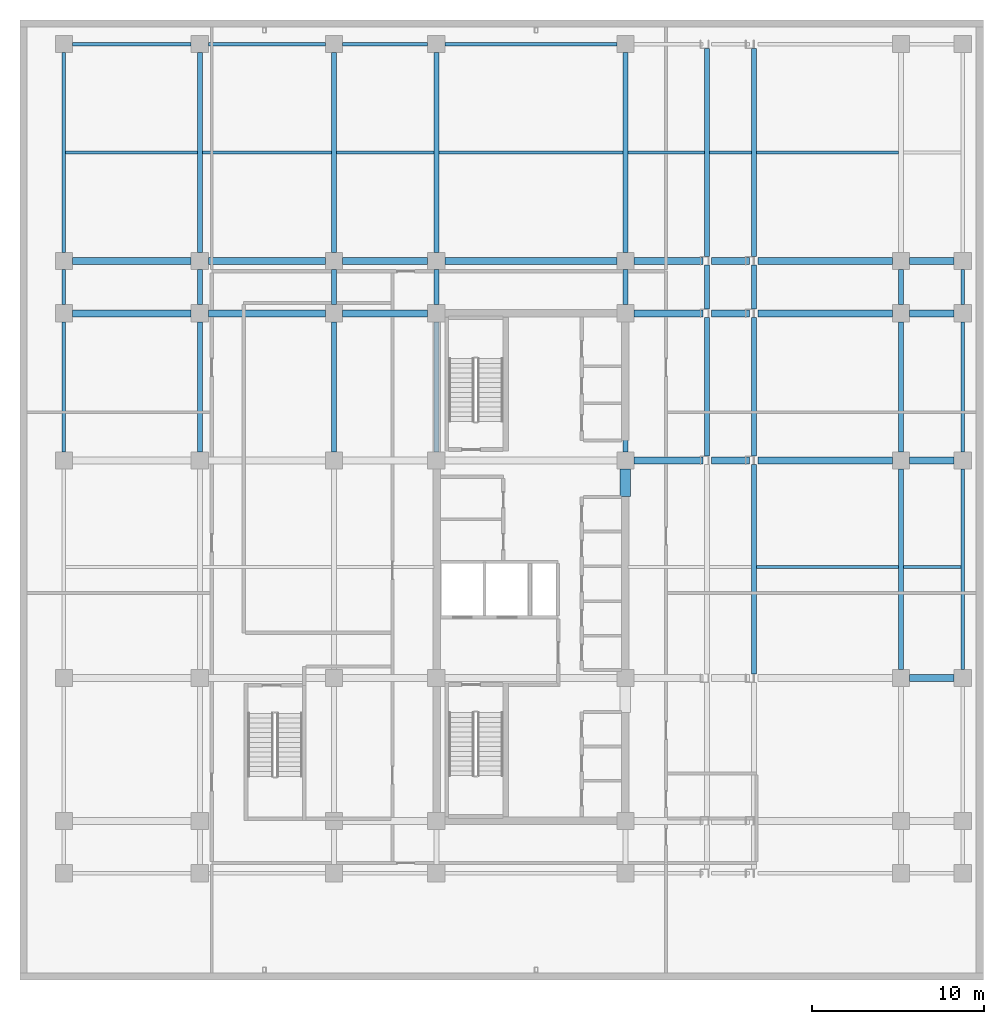
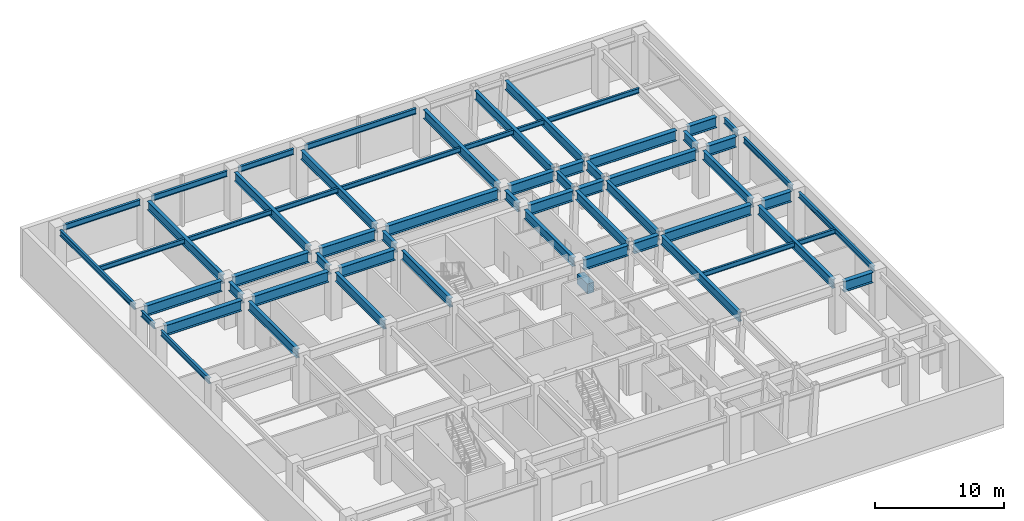
# One storey, part 5 of 9: 62 beams.
"""IFC4 building model written with IfcOpenShell, lengths in metres."""

from ifc_helpers import new_model, si_unit, direction, frame, origin, origin_2d, place, context, subcontext, project, spatial, rectangle, i_section, extrude, material, material_profile, profile_set, type_object, element, save


model = new_model("IFC4")

# Units and contexts
model_context = context("Model", 3, precision=1e-05, world=origin(), true_north=direction((0.0, 1.0)))
body_context = subcontext(model_context, "Body", "Model", "MODEL_VIEW")
ifc_project = project(units=[si_unit("LENGTHUNIT", "METRE"), si_unit("AREAUNIT", "SQUARE_METRE"), si_unit("VOLUMEUNIT", "CUBIC_METRE"), si_unit("PLANEANGLEUNIT", "RADIAN"), si_unit("MASSUNIT", "GRAM", prefix="KILO")], contexts=[model_context])

# Site, building, storey
site_placement = place(None, origin())
site = spatial("IfcSite", under=ifc_project, at=site_placement, CompositionType="ELEMENT")
building_placement = place(site_placement, origin())
building = spatial("IfcBuilding", under=site, at=building_placement, Name="Ochreholt Gables", CompositionType="ELEMENT")
storey_placement = place(building_placement, frame((0.0, 0.0, -4.800048828125)))
storey = spatial("IfcBuildingStorey", under=building, at=storey_placement, Name="B1", CompositionType="ELEMENT", Elevation=-4.800048828125)

# Beams
ifc_material_1 = material(Name="Concrete 60 MPa", Category="concrete")
ifc_material_profile_1 = material_profile(ifc_material_1, rectangle(XDim=0.60009765625, YDim=0.949951171875, at=origin_2d()), Name="RCB600X950")
ifc_profile_set_1 = profile_set([ifc_material_profile_1], Name="Concrete 60 MPa")
beam_type_1 = type_object("IfcBeamType", Name="BM-CPL-RC600", PredefinedType="LINTEL", material=ifc_profile_set_1)
beam_1_placement = place(storey_placement, frame((35.175048828125, 28.10009765625, 3.154052734375), z_axis=(0.0, 1.0, 0.0), x_axis=(-1.0, 0.0, 0.0)))
element("IfcBeam", 1, at=beam_1_placement, inside=storey, type_object=beam_type_1, Name="B1 Core Coupling Lintel CPN", PredefinedType="LINTEL", context=body_context, shape_type="SweptSolid", body=[
    extrude(rectangle(XDim=0.60009765625, YDim=0.949951171875, at=origin_2d()), origin(), (0.0, 0.0, 1.0), 1.599853515625),
])
ifc_material_2 = material(Name="Steel CSA G40.21 350W", Category="steel")
ifc_material_profile_2 = material_profile(ifc_material_2, i_section(OverallWidth=0.39990234375, OverallDepth=1.0, WebThickness=0.0166015625, FlangeThickness=0.031005859375, at=origin_2d()), Name="W1000X321")
ifc_profile_set_2 = profile_set([ifc_material_profile_2], Name="Steel CSA G40.21 350W")
beam_type_2 = type_object("IfcBeamType", Name="BM-G-W1000", PredefinedType="BEAM", material=ifc_profile_set_2)
beam_2_placement = place(storey_placement, frame((51.69970703125, 17.550048828125, 3.97998046875), z_axis=(1.0, 0.0, 0.0), x_axis=(0.0, 1.0, 0.0)))
element("IfcBeam", 2, at=beam_2_placement, inside=storey, type_object=beam_type_2, Name="B1 Beam BG-B1-E3E4-Y3", PredefinedType="BEAM", context=body_context, shape_type="SweptSolid", body=[
    extrude(i_section(OverallWidth=0.39990234375, OverallDepth=1.0, WebThickness=0.0166015625, FlangeThickness=0.031005859375, at=origin_2d()), origin(), (0.0, 0.0, 1.0), 2.6005859375),
])
beam_3_placement = place(storey_placement, frame((35.69970703125, 30.199951171875, 3.97998046875), z_axis=(1.0, 0.0, 0.0), x_axis=(0.0, 1.0, 0.0)))
element("IfcBeam", 3, at=beam_3_placement, inside=storey, type_object=beam_type_2, Name="B1 Beam BG-B1-C2EM-Y4", PredefinedType="BEAM", context=body_context, shape_type="SweptSolid", body=[
    extrude(i_section(OverallWidth=0.39990234375, OverallDepth=1.0, WebThickness=0.0166015625, FlangeThickness=0.031005859375, at=origin_2d()), origin(), (0.0, 0.0, 1.0), 3.986572265625),
])
beam_4_placement = place(storey_placement, frame((40.185546875, 30.199951171875, 3.97998046875), z_axis=(1.0, 0.0, 0.0), x_axis=(0.0, 1.0, 0.0)))
element("IfcBeam", 4, at=beam_4_placement, inside=storey, type_object=beam_type_2, Name="B1 Beam BG-B1-EMEE-Y4", PredefinedType="BEAM", context=body_context, shape_type="SweptSolid", body=[
    extrude(i_section(OverallWidth=0.39990234375, OverallDepth=1.0, WebThickness=0.0166015625, FlangeThickness=0.031005859375, at=origin_2d()), origin(), (0.0, 0.0, 1.0), 2.2216796875),
])
beam_5_placement = place(storey_placement, frame((42.906494140625, 30.199951171875, 3.97998046875), z_axis=(1.0, 0.0, 0.0), x_axis=(0.0, 1.0, 0.0)))
element("IfcBeam", 5, at=beam_5_placement, inside=storey, type_object=beam_type_2, Name="B1 Beam BG-B1-EEE3-Y4", PredefinedType="BEAM", context=body_context, shape_type="SweptSolid", body=[
    extrude(i_section(OverallWidth=0.39990234375, OverallDepth=1.0, WebThickness=0.0166015625, FlangeThickness=0.031005859375, at=origin_2d()), origin(), (0.0, 0.0, 1.0), 7.7939453125),
])
beam_6_placement = place(storey_placement, frame((51.69970703125, 30.199951171875, 3.97998046875), z_axis=(1.0, 0.0, 0.0), x_axis=(0.0, 1.0, 0.0)))
element("IfcBeam", 6, at=beam_6_placement, inside=storey, type_object=beam_type_2, Name="B1 Beam BG-B1-E3E4-Y4", PredefinedType="BEAM", context=body_context, shape_type="SweptSolid", body=[
    extrude(i_section(OverallWidth=0.39990234375, OverallDepth=1.0, WebThickness=0.0166015625, FlangeThickness=0.031005859375, at=origin_2d()), origin(), (0.0, 0.0, 1.0), 2.6005859375),
])
beam_7_placement = place(storey_placement, frame((3.049560546875, 38.75, 3.97998046875), z_axis=(1.0, 0.0, 0.0), x_axis=(0.0, 1.0, 0.0)))
element("IfcBeam", 7, at=beam_7_placement, inside=storey, type_object=beam_type_2, Name="B1 Beam BG-B1-W1W2-Y5", PredefinedType="BEAM", context=body_context, shape_type="SweptSolid", body=[
    extrude(i_section(OverallWidth=0.39990234375, OverallDepth=1.0, WebThickness=0.0166015625, FlangeThickness=0.031005859375, at=origin_2d()), origin(), (0.0, 0.0, 1.0), 6.90087890625),
])
beam_8_placement = place(storey_placement, frame((10.94970703125, 38.75, 3.97998046875), z_axis=(1.0, 0.0, 0.0), x_axis=(0.0, 1.0, 0.0)))
element("IfcBeam", 8, at=beam_8_placement, inside=storey, type_object=beam_type_2, Name="B1 Beam BG-B1-W2W3-Y5", PredefinedType="BEAM", context=body_context, shape_type="SweptSolid", body=[
    extrude(i_section(OverallWidth=0.39990234375, OverallDepth=1.0, WebThickness=0.0166015625, FlangeThickness=0.031005859375, at=origin_2d()), origin(), (0.0, 0.0, 1.0), 6.80078125),
])
beam_9_placement = place(storey_placement, frame((18.74951171875, 38.75, 3.97998046875), z_axis=(1.0, 0.0, 0.0), x_axis=(0.0, 1.0, 0.0)))
element("IfcBeam", 9, at=beam_9_placement, inside=storey, type_object=beam_type_2, Name="B1 Beam BG-B1-W3C1-Y5", PredefinedType="BEAM", context=body_context, shape_type="SweptSolid", body=[
    extrude(i_section(OverallWidth=0.39990234375, OverallDepth=1.0, WebThickness=0.0166015625, FlangeThickness=0.031005859375, at=origin_2d()), origin(), (0.0, 0.0, 1.0), 4.950927734375),
])
beam_10_placement = place(storey_placement, frame((35.69970703125, 38.75, 3.97998046875), z_axis=(1.0, 0.0, 0.0), x_axis=(0.0, 1.0, 0.0)))
element("IfcBeam", 10, at=beam_10_placement, inside=storey, type_object=beam_type_2, Name="B1 Beam BG-B1-C2EM-Y5", PredefinedType="BEAM", context=body_context, shape_type="SweptSolid", body=[
    extrude(i_section(OverallWidth=0.39990234375, OverallDepth=1.0, WebThickness=0.0166015625, FlangeThickness=0.031005859375, at=origin_2d()), origin(), (0.0, 0.0, 1.0), 3.986572265625),
])
beam_11_placement = place(storey_placement, frame((40.185546875, 38.75, 3.97998046875), z_axis=(1.0, 0.0, 0.0), x_axis=(0.0, 1.0, 0.0)))
element("IfcBeam", 11, at=beam_11_placement, inside=storey, type_object=beam_type_2, Name="B1 Beam BG-B1-EMEE-Y5", PredefinedType="BEAM", context=body_context, shape_type="SweptSolid", body=[
    extrude(i_section(OverallWidth=0.39990234375, OverallDepth=1.0, WebThickness=0.0166015625, FlangeThickness=0.031005859375, at=origin_2d()), origin(), (0.0, 0.0, 1.0), 2.2216796875),
])
beam_12_placement = place(storey_placement, frame((42.906494140625, 38.75, 3.97998046875), z_axis=(1.0, 0.0, 0.0), x_axis=(0.0, 1.0, 0.0)))
element("IfcBeam", 12, at=beam_12_placement, inside=storey, type_object=beam_type_2, Name="B1 Beam BG-B1-EEE3-Y5", PredefinedType="BEAM", context=body_context, shape_type="SweptSolid", body=[
    extrude(i_section(OverallWidth=0.39990234375, OverallDepth=1.0, WebThickness=0.0166015625, FlangeThickness=0.031005859375, at=origin_2d()), origin(), (0.0, 0.0, 1.0), 7.7939453125),
])
beam_13_placement = place(storey_placement, frame((51.69970703125, 38.75, 3.97998046875), z_axis=(1.0, 0.0, 0.0), x_axis=(0.0, 1.0, 0.0)))
element("IfcBeam", 13, at=beam_13_placement, inside=storey, type_object=beam_type_2, Name="B1 Beam BG-B1-E3E4-Y5", PredefinedType="BEAM", context=body_context, shape_type="SweptSolid", body=[
    extrude(i_section(OverallWidth=0.39990234375, OverallDepth=1.0, WebThickness=0.0166015625, FlangeThickness=0.031005859375, at=origin_2d()), origin(), (0.0, 0.0, 1.0), 2.6005859375),
])
beam_14_placement = place(storey_placement, frame((3.049560546875, 41.800048828125, 3.97998046875), z_axis=(1.0, 0.0, 0.0), x_axis=(0.0, 1.0, 0.0)))
element("IfcBeam", 14, at=beam_14_placement, inside=storey, type_object=beam_type_2, Name="B1 Beam BG-B1-W1W2-Y6", PredefinedType="BEAM", context=body_context, shape_type="SweptSolid", body=[
    extrude(i_section(OverallWidth=0.39990234375, OverallDepth=1.0, WebThickness=0.0166015625, FlangeThickness=0.031005859375, at=origin_2d()), origin(), (0.0, 0.0, 1.0), 6.90087890625),
])
beam_15_placement = place(storey_placement, frame((10.94970703125, 41.800048828125, 3.97998046875), z_axis=(1.0, 0.0, 0.0), x_axis=(0.0, 1.0, 0.0)))
element("IfcBeam", 15, at=beam_15_placement, inside=storey, type_object=beam_type_2, Name="B1 Beam BG-B1-W2W3-Y6", PredefinedType="BEAM", context=body_context, shape_type="SweptSolid", body=[
    extrude(i_section(OverallWidth=0.39990234375, OverallDepth=1.0, WebThickness=0.0166015625, FlangeThickness=0.031005859375, at=origin_2d()), origin(), (0.0, 0.0, 1.0), 6.80078125),
])
beam_16_placement = place(storey_placement, frame((18.74951171875, 41.800048828125, 3.97998046875), z_axis=(1.0, 0.0, 0.0), x_axis=(0.0, 1.0, 0.0)))
element("IfcBeam", 16, at=beam_16_placement, inside=storey, type_object=beam_type_2, Name="B1 Beam BG-B1-W3C1-Y6", PredefinedType="BEAM", context=body_context, shape_type="SweptSolid", body=[
    extrude(i_section(OverallWidth=0.39990234375, OverallDepth=1.0, WebThickness=0.0166015625, FlangeThickness=0.031005859375, at=origin_2d()), origin(), (0.0, 0.0, 1.0), 4.950927734375),
])
beam_17_placement = place(storey_placement, frame((24.69970703125, 41.800048828125, 3.97998046875), z_axis=(1.0, 0.0, 0.0), x_axis=(0.0, 1.0, 0.0)))
element("IfcBeam", 17, at=beam_17_placement, inside=storey, type_object=beam_type_2, Name="B1 Beam BG-B1-C1C2-Y6", PredefinedType="BEAM", context=body_context, shape_type="SweptSolid", body=[
    extrude(i_section(OverallWidth=0.39990234375, OverallDepth=1.0, WebThickness=0.0166015625, FlangeThickness=0.031005859375, at=origin_2d()), origin(), (0.0, 0.0, 1.0), 10.000732421875),
])
beam_18_placement = place(storey_placement, frame((35.69970703125, 41.800048828125, 3.97998046875), z_axis=(1.0, 0.0, 0.0), x_axis=(0.0, 1.0, 0.0)))
element("IfcBeam", 18, at=beam_18_placement, inside=storey, type_object=beam_type_2, Name="B1 Beam BG-B1-C2EM-Y6", PredefinedType="BEAM", context=body_context, shape_type="SweptSolid", body=[
    extrude(i_section(OverallWidth=0.39990234375, OverallDepth=1.0, WebThickness=0.0166015625, FlangeThickness=0.031005859375, at=origin_2d()), origin(), (0.0, 0.0, 1.0), 3.986572265625),
])
beam_19_placement = place(storey_placement, frame((40.185546875, 41.800048828125, 3.97998046875), z_axis=(1.0, 0.0, 0.0), x_axis=(0.0, 1.0, 0.0)))
element("IfcBeam", 19, at=beam_19_placement, inside=storey, type_object=beam_type_2, Name="B1 Beam BG-B1-EMEE-Y6", PredefinedType="BEAM", context=body_context, shape_type="SweptSolid", body=[
    extrude(i_section(OverallWidth=0.39990234375, OverallDepth=1.0, WebThickness=0.0166015625, FlangeThickness=0.031005859375, at=origin_2d()), origin(), (0.0, 0.0, 1.0), 2.2216796875),
])
beam_20_placement = place(storey_placement, frame((42.906494140625, 41.800048828125, 3.97998046875), z_axis=(1.0, 0.0, 0.0), x_axis=(0.0, 1.0, 0.0)))
element("IfcBeam", 20, at=beam_20_placement, inside=storey, type_object=beam_type_2, Name="B1 Beam BG-B1-EEE3-Y6", PredefinedType="BEAM", context=body_context, shape_type="SweptSolid", body=[
    extrude(i_section(OverallWidth=0.39990234375, OverallDepth=1.0, WebThickness=0.0166015625, FlangeThickness=0.031005859375, at=origin_2d()), origin(), (0.0, 0.0, 1.0), 7.7939453125),
])
beam_21_placement = place(storey_placement, frame((51.69970703125, 41.800048828125, 3.97998046875), z_axis=(1.0, 0.0, 0.0), x_axis=(0.0, 1.0, 0.0)))
element("IfcBeam", 21, at=beam_21_placement, inside=storey, type_object=beam_type_2, Name="B1 Beam BG-B1-E3E4-Y6", PredefinedType="BEAM", context=body_context, shape_type="SweptSolid", body=[
    extrude(i_section(OverallWidth=0.39990234375, OverallDepth=1.0, WebThickness=0.0166015625, FlangeThickness=0.031005859375, at=origin_2d()), origin(), (0.0, 0.0, 1.0), 2.6005859375),
])
ifc_material_profile_3 = material_profile(ifc_material_2, i_section(OverallWidth=0.2939453125, OverallDepth=0.85107421875, WebThickness=0.01611328125, FlangeThickness=0.02685546875, at=origin_2d()), Name="W840X226")
ifc_profile_set_3 = profile_set([ifc_material_profile_3], Name="Steel CSA G40.21 350W")
beam_type_3 = type_object("IfcBeamType", Name="BM-G-W840", PredefinedType="BEAM", material=ifc_profile_set_3)
beam_22_placement = place(storey_placement, frame((10.449951171875, 30.69970703125, 4.054443359375), z_axis=(0.0, 1.0, 0.0), x_axis=(-1.0, 0.0, 0.0)))
element("IfcBeam", 22, at=beam_22_placement, inside=storey, type_object=beam_type_3, Name="B1 Beam BG-B1-W2-Y4Y5", PredefinedType="BEAM", context=body_context, shape_type="SweptSolid", body=[
    extrude(i_section(OverallWidth=0.2939453125, OverallDepth=0.85107421875, WebThickness=0.01611328125, FlangeThickness=0.02685546875, at=origin_2d()), origin(), (0.0, 0.0, 1.0), 7.55078125),
])
beam_23_placement = place(storey_placement, frame((10.449951171875, 39.24951171875, 4.054443359375), z_axis=(0.0, 1.0, 0.0), x_axis=(-1.0, 0.0, 0.0)))
element("IfcBeam", 23, at=beam_23_placement, inside=storey, type_object=beam_type_3, Name="B1 Beam BG-B1-W2-Y5Y6", PredefinedType="BEAM", context=body_context, shape_type="SweptSolid", body=[
    extrude(i_section(OverallWidth=0.2939453125, OverallDepth=0.85107421875, WebThickness=0.01611328125, FlangeThickness=0.02685546875, at=origin_2d()), origin(), (0.0, 0.0, 1.0), 2.05078125),
])
beam_24_placement = place(storey_placement, frame((10.449951171875, 42.299560546875, 4.054443359375), z_axis=(0.0, 1.0, 0.0), x_axis=(-1.0, 0.0, 0.0)))
element("IfcBeam", 24, at=beam_24_placement, inside=storey, type_object=beam_type_3, Name="B1 Beam BG-B1-W2-Y6Y7", PredefinedType="BEAM", context=body_context, shape_type="SweptSolid", body=[
    extrude(i_section(OverallWidth=0.2939453125, OverallDepth=0.85107421875, WebThickness=0.01611328125, FlangeThickness=0.02685546875, at=origin_2d()), origin(), (0.0, 0.0, 1.0), 11.600830078125),
])
beam_25_placement = place(storey_placement, frame((18.25, 30.69970703125, 4.054443359375), z_axis=(0.0, 1.0, 0.0), x_axis=(-1.0, 0.0, 0.0)))
element("IfcBeam", 25, at=beam_25_placement, inside=storey, type_object=beam_type_3, Name="B1 Beam BG-B1-W3-Y4Y5", PredefinedType="BEAM", context=body_context, shape_type="SweptSolid", body=[
    extrude(i_section(OverallWidth=0.2939453125, OverallDepth=0.85107421875, WebThickness=0.01611328125, FlangeThickness=0.02685546875, at=origin_2d()), origin(), (0.0, 0.0, 1.0), 7.55078125),
])
beam_26_placement = place(storey_placement, frame((18.25, 39.24951171875, 4.054443359375), z_axis=(0.0, 1.0, 0.0), x_axis=(-1.0, 0.0, 0.0)))
element("IfcBeam", 26, at=beam_26_placement, inside=storey, type_object=beam_type_3, Name="B1 Beam BG-B1-W3-Y5Y6", PredefinedType="BEAM", context=body_context, shape_type="SweptSolid", body=[
    extrude(i_section(OverallWidth=0.2939453125, OverallDepth=0.85107421875, WebThickness=0.01611328125, FlangeThickness=0.02685546875, at=origin_2d()), origin(), (0.0, 0.0, 1.0), 2.05078125),
])
beam_27_placement = place(storey_placement, frame((18.25, 42.299560546875, 4.054443359375), z_axis=(0.0, 1.0, 0.0), x_axis=(-1.0, 0.0, 0.0)))
element("IfcBeam", 27, at=beam_27_placement, inside=storey, type_object=beam_type_3, Name="B1 Beam BG-B1-W3-Y6Y7", PredefinedType="BEAM", context=body_context, shape_type="SweptSolid", body=[
    extrude(i_section(OverallWidth=0.2939453125, OverallDepth=0.85107421875, WebThickness=0.01611328125, FlangeThickness=0.02685546875, at=origin_2d()), origin(), (0.0, 0.0, 1.0), 11.600830078125),
])
beam_28_placement = place(storey_placement, frame((24.199951171875, 30.69970703125, 4.054443359375), z_axis=(0.0, 1.0, 0.0), x_axis=(-1.0, 0.0, 0.0)))
element("IfcBeam", 28, at=beam_28_placement, inside=storey, type_object=beam_type_3, Name="B1 Beam BG-B1-C1-Y4Y5", PredefinedType="BEAM", context=body_context, shape_type="SweptSolid", body=[
    extrude(i_section(OverallWidth=0.2939453125, OverallDepth=0.85107421875, WebThickness=0.01611328125, FlangeThickness=0.02685546875, at=origin_2d()), origin(), (0.0, 0.0, 1.0), 7.55078125),
])
beam_29_placement = place(storey_placement, frame((24.199951171875, 39.24951171875, 4.054443359375), z_axis=(0.0, 1.0, 0.0), x_axis=(-1.0, 0.0, 0.0)))
element("IfcBeam", 29, at=beam_29_placement, inside=storey, type_object=beam_type_3, Name="B1 Beam BG-B1-C1-Y5Y6", PredefinedType="BEAM", context=body_context, shape_type="SweptSolid", body=[
    extrude(i_section(OverallWidth=0.2939453125, OverallDepth=0.85107421875, WebThickness=0.01611328125, FlangeThickness=0.02685546875, at=origin_2d()), origin(), (0.0, 0.0, 1.0), 2.05078125),
])
beam_30_placement = place(storey_placement, frame((24.199951171875, 42.299560546875, 4.054443359375), z_axis=(0.0, 1.0, 0.0), x_axis=(-1.0, 0.0, 0.0)))
element("IfcBeam", 30, at=beam_30_placement, inside=storey, type_object=beam_type_3, Name="B1 Beam BG-B1-C1-Y6Y7", PredefinedType="BEAM", context=body_context, shape_type="SweptSolid", body=[
    extrude(i_section(OverallWidth=0.2939453125, OverallDepth=0.85107421875, WebThickness=0.01611328125, FlangeThickness=0.02685546875, at=origin_2d()), origin(), (0.0, 0.0, 1.0), 11.600830078125),
])
beam_31_placement = place(storey_placement, frame((35.199951171875, 30.69970703125, 4.054443359375), z_axis=(0.0, 1.0, 0.0), x_axis=(-1.0, 0.0, 0.0)))
element("IfcBeam", 31, at=beam_31_placement, inside=storey, type_object=beam_type_3, Name="B1 Beam BG-B1-C2-Y4Y5", PredefinedType="BEAM", context=body_context, shape_type="SweptSolid", body=[
    extrude(i_section(OverallWidth=0.2939453125, OverallDepth=0.85107421875, WebThickness=0.01611328125, FlangeThickness=0.02685546875, at=origin_2d()), origin(), (0.0, 0.0, 1.0), 7.55078125),
])
beam_32_placement = place(storey_placement, frame((35.199951171875, 39.24951171875, 4.054443359375), z_axis=(0.0, 1.0, 0.0), x_axis=(-1.0, 0.0, 0.0)))
element("IfcBeam", 32, at=beam_32_placement, inside=storey, type_object=beam_type_3, Name="B1 Beam BG-B1-C2-Y5Y6", PredefinedType="BEAM", context=body_context, shape_type="SweptSolid", body=[
    extrude(i_section(OverallWidth=0.2939453125, OverallDepth=0.85107421875, WebThickness=0.01611328125, FlangeThickness=0.02685546875, at=origin_2d()), origin(), (0.0, 0.0, 1.0), 2.05078125),
])
beam_33_placement = place(storey_placement, frame((35.199951171875, 42.299560546875, 4.054443359375), z_axis=(0.0, 1.0, 0.0), x_axis=(-1.0, 0.0, 0.0)))
element("IfcBeam", 33, at=beam_33_placement, inside=storey, type_object=beam_type_3, Name="B1 Beam BG-B1-C2-Y6Y7", PredefinedType="BEAM", context=body_context, shape_type="SweptSolid", body=[
    extrude(i_section(OverallWidth=0.2939453125, OverallDepth=0.85107421875, WebThickness=0.01611328125, FlangeThickness=0.02685546875, at=origin_2d()), origin(), (0.0, 0.0, 1.0), 11.600830078125),
])
beam_34_placement = place(storey_placement, frame((39.93603515625, 30.44970703125, 4.054443359375), z_axis=(0.0, 1.0, 0.0), x_axis=(-1.0, 0.0, 0.0)))
element("IfcBeam", 34, at=beam_34_placement, inside=storey, type_object=beam_type_3, Name="B1 Beam BG-B1-EM-Y4Y5", PredefinedType="BEAM", context=body_context, shape_type="SweptSolid", body=[
    extrude(i_section(OverallWidth=0.2939453125, OverallDepth=0.85107421875, WebThickness=0.01611328125, FlangeThickness=0.02685546875, at=origin_2d()), origin(), (0.0, 0.0, 1.0), 8.05078125),
])
beam_35_placement = place(storey_placement, frame((39.93603515625, 38.99951171875, 4.054443359375), z_axis=(0.0, 1.0, 0.0), x_axis=(-1.0, 0.0, 0.0)))
element("IfcBeam", 35, at=beam_35_placement, inside=storey, type_object=beam_type_3, Name="B1 Beam BG-B1-EM-Y5Y6", PredefinedType="BEAM", context=body_context, shape_type="SweptSolid", body=[
    extrude(i_section(OverallWidth=0.2939453125, OverallDepth=0.85107421875, WebThickness=0.01611328125, FlangeThickness=0.02685546875, at=origin_2d()), origin(), (0.0, 0.0, 1.0), 2.55078125),
])
beam_36_placement = place(storey_placement, frame((39.93603515625, 42.049560546875, 4.054443359375), z_axis=(0.0, 1.0, 0.0), x_axis=(-1.0, 0.0, 0.0)))
element("IfcBeam", 36, at=beam_36_placement, inside=storey, type_object=beam_type_3, Name="B1 Beam BG-B1-EM-Y6Y7", PredefinedType="BEAM", context=body_context, shape_type="SweptSolid", body=[
    extrude(i_section(OverallWidth=0.2939453125, OverallDepth=0.85107421875, WebThickness=0.01611328125, FlangeThickness=0.02685546875, at=origin_2d()), origin(), (0.0, 0.0, 1.0), 12.100830078125),
])
beam_37_placement = place(storey_placement, frame((42.65673828125, 17.799560546875, 4.054443359375), z_axis=(0.0, 1.0, 0.0), x_axis=(-1.0, 0.0, 0.0)))
element("IfcBeam", 37, at=beam_37_placement, inside=storey, type_object=beam_type_3, Name="B1 Beam BG-B1-EE-Y3Y4", PredefinedType="BEAM", context=body_context, shape_type="SweptSolid", body=[
    extrude(i_section(OverallWidth=0.2939453125, OverallDepth=0.85107421875, WebThickness=0.01611328125, FlangeThickness=0.02685546875, at=origin_2d()), origin(), (0.0, 0.0, 1.0), 12.15087890625),
])
beam_38_placement = place(storey_placement, frame((42.65673828125, 30.44970703125, 4.054443359375), z_axis=(0.0, 1.0, 0.0), x_axis=(-1.0, 0.0, 0.0)))
element("IfcBeam", 38, at=beam_38_placement, inside=storey, type_object=beam_type_3, Name="B1 Beam BG-B1-EE-Y4Y5", PredefinedType="BEAM", context=body_context, shape_type="SweptSolid", body=[
    extrude(i_section(OverallWidth=0.2939453125, OverallDepth=0.85107421875, WebThickness=0.01611328125, FlangeThickness=0.02685546875, at=origin_2d()), origin(), (0.0, 0.0, 1.0), 8.05078125),
])
beam_39_placement = place(storey_placement, frame((42.65673828125, 38.99951171875, 4.054443359375), z_axis=(0.0, 1.0, 0.0), x_axis=(-1.0, 0.0, 0.0)))
element("IfcBeam", 39, at=beam_39_placement, inside=storey, type_object=beam_type_3, Name="B1 Beam BG-B1-EE-Y5Y6", PredefinedType="BEAM", context=body_context, shape_type="SweptSolid", body=[
    extrude(i_section(OverallWidth=0.2939453125, OverallDepth=0.85107421875, WebThickness=0.01611328125, FlangeThickness=0.02685546875, at=origin_2d()), origin(), (0.0, 0.0, 1.0), 2.55078125),
])
beam_40_placement = place(storey_placement, frame((42.65673828125, 42.049560546875, 4.054443359375), z_axis=(0.0, 1.0, 0.0), x_axis=(-1.0, 0.0, 0.0)))
element("IfcBeam", 40, at=beam_40_placement, inside=storey, type_object=beam_type_3, Name="B1 Beam BG-B1-EE-Y6Y7", PredefinedType="BEAM", context=body_context, shape_type="SweptSolid", body=[
    extrude(i_section(OverallWidth=0.2939453125, OverallDepth=0.85107421875, WebThickness=0.01611328125, FlangeThickness=0.02685546875, at=origin_2d()), origin(), (0.0, 0.0, 1.0), 12.100830078125),
])
beam_41_placement = place(storey_placement, frame((51.199951171875, 18.049560546875, 4.054443359375), z_axis=(0.0, 1.0, 0.0), x_axis=(-1.0, 0.0, 0.0)))
element("IfcBeam", 41, at=beam_41_placement, inside=storey, type_object=beam_type_3, Name="B1 Beam BG-B1-E3-Y3Y4", PredefinedType="BEAM", context=body_context, shape_type="SweptSolid", body=[
    extrude(i_section(OverallWidth=0.2939453125, OverallDepth=0.85107421875, WebThickness=0.01611328125, FlangeThickness=0.02685546875, at=origin_2d()), origin(), (0.0, 0.0, 1.0), 11.65087890625),
])
beam_42_placement = place(storey_placement, frame((51.199951171875, 30.69970703125, 4.054443359375), z_axis=(0.0, 1.0, 0.0), x_axis=(-1.0, 0.0, 0.0)))
element("IfcBeam", 42, at=beam_42_placement, inside=storey, type_object=beam_type_3, Name="B1 Beam BG-B1-E3-Y4Y5", PredefinedType="BEAM", context=body_context, shape_type="SweptSolid", body=[
    extrude(i_section(OverallWidth=0.2939453125, OverallDepth=0.85107421875, WebThickness=0.01611328125, FlangeThickness=0.02685546875, at=origin_2d()), origin(), (0.0, 0.0, 1.0), 7.55078125),
])
beam_43_placement = place(storey_placement, frame((51.199951171875, 39.24951171875, 4.054443359375), z_axis=(0.0, 1.0, 0.0), x_axis=(-1.0, 0.0, 0.0)))
element("IfcBeam", 43, at=beam_43_placement, inside=storey, type_object=beam_type_3, Name="B1 Beam BG-B1-E3-Y5Y6", PredefinedType="BEAM", context=body_context, shape_type="SweptSolid", body=[
    extrude(i_section(OverallWidth=0.2939453125, OverallDepth=0.85107421875, WebThickness=0.01611328125, FlangeThickness=0.02685546875, at=origin_2d()), origin(), (0.0, 0.0, 1.0), 2.05078125),
])
ifc_material_profile_4 = material_profile(ifc_material_2, i_section(OverallWidth=0.18994140625, OverallDepth=0.45703125, WebThickness=0.009033203125, FlangeThickness=0.014404296875, at=origin_2d()), Name="W460X74")
ifc_profile_set_4 = profile_set([ifc_material_profile_4], Name="Steel CSA G40.21 350W")
beam_type_4 = type_object("IfcBeamType", Name="BM-J-W460B", PredefinedType="JOIST", material=ifc_profile_set_4)
beam_44_placement = place(storey_placement, frame((42.803466796875, 24.0, 4.25146484375), z_axis=(1.0, 0.0, 0.0), x_axis=(0.0, 1.0, 0.0)))
element("IfcBeam", 44, at=beam_44_placement, inside=storey, type_object=beam_type_4, Name="B1 Beam BJ-B1-J1-EEE3", PredefinedType="JOIST", context=body_context, shape_type="SweptSolid", body=[
    extrude(i_section(OverallWidth=0.18994140625, OverallDepth=0.45703125, WebThickness=0.009033203125, FlangeThickness=0.014404296875, at=origin_2d()), origin(), (0.0, 0.0, 1.0), 8.25),
])
beam_45_placement = place(storey_placement, frame((51.3466796875, 24.0, 4.25146484375), z_axis=(1.0, 0.0, 0.0), x_axis=(0.0, 1.0, 0.0)))
element("IfcBeam", 45, at=beam_45_placement, inside=storey, type_object=beam_type_4, Name="B1 Beam BJ-B1-J1-E3E4", PredefinedType="JOIST", context=body_context, shape_type="SweptSolid", body=[
    extrude(i_section(OverallWidth=0.18994140625, OverallDepth=0.45703125, WebThickness=0.009033203125, FlangeThickness=0.014404296875, at=origin_2d()), origin(), (0.0, 0.0, 1.0), 3.34912109375),
])
beam_46_placement = place(storey_placement, frame((2.654052734375, 48.10009765625, 4.25146484375), z_axis=(1.0, 0.0, 0.0), x_axis=(0.0, 1.0, 0.0)))
element("IfcBeam", 46, at=beam_46_placement, inside=storey, type_object=beam_type_4, Name="B1 Beam BJ-B1-J2-W1W2", PredefinedType="JOIST", context=body_context, shape_type="SweptSolid", body=[
    extrude(i_section(OverallWidth=0.18994140625, OverallDepth=0.45703125, WebThickness=0.009033203125, FlangeThickness=0.014404296875, at=origin_2d()), origin(), (0.0, 0.0, 1.0), 7.6494140625),
])
beam_47_placement = place(storey_placement, frame((10.5966796875, 48.10009765625, 4.25146484375), z_axis=(1.0, 0.0, 0.0), x_axis=(0.0, 1.0, 0.0)))
element("IfcBeam", 47, at=beam_47_placement, inside=storey, type_object=beam_type_4, Name="B1 Beam BJ-B1-J2-W2W3", PredefinedType="JOIST", context=body_context, shape_type="SweptSolid", body=[
    extrude(i_section(OverallWidth=0.18994140625, OverallDepth=0.45703125, WebThickness=0.009033203125, FlangeThickness=0.014404296875, at=origin_2d()), origin(), (0.0, 0.0, 1.0), 7.5068359375),
])
beam_48_placement = place(storey_placement, frame((18.396484375, 48.10009765625, 4.25146484375), z_axis=(1.0, 0.0, 0.0), x_axis=(0.0, 1.0, 0.0)))
element("IfcBeam", 48, at=beam_48_placement, inside=storey, type_object=beam_type_4, Name="B1 Beam BJ-B1-J2-W3C1", PredefinedType="JOIST", context=body_context, shape_type="SweptSolid", body=[
    extrude(i_section(OverallWidth=0.18994140625, OverallDepth=0.45703125, WebThickness=0.009033203125, FlangeThickness=0.014404296875, at=origin_2d()), origin(), (0.0, 0.0, 1.0), 5.656982421875),
])
beam_49_placement = place(storey_placement, frame((24.3466796875, 48.10009765625, 4.25146484375), z_axis=(1.0, 0.0, 0.0), x_axis=(0.0, 1.0, 0.0)))
element("IfcBeam", 49, at=beam_49_placement, inside=storey, type_object=beam_type_4, Name="B1 Beam BJ-B1-J2-C1C2", PredefinedType="JOIST", context=body_context, shape_type="SweptSolid", body=[
    extrude(i_section(OverallWidth=0.18994140625, OverallDepth=0.45703125, WebThickness=0.009033203125, FlangeThickness=0.014404296875, at=origin_2d()), origin(), (0.0, 0.0, 1.0), 10.706787109375),
])
beam_50_placement = place(storey_placement, frame((35.3466796875, 48.10009765625, 4.25146484375), z_axis=(1.0, 0.0, 0.0), x_axis=(0.0, 1.0, 0.0)))
element("IfcBeam", 50, at=beam_50_placement, inside=storey, type_object=beam_type_4, Name="B1 Beam BJ-B1-J2-C2EM", PredefinedType="JOIST", context=body_context, shape_type="SweptSolid", body=[
    extrude(i_section(OverallWidth=0.18994140625, OverallDepth=0.45703125, WebThickness=0.009033203125, FlangeThickness=0.014404296875, at=origin_2d()), origin(), (0.0, 0.0, 1.0), 4.442626953125),
])
beam_51_placement = place(storey_placement, frame((40.08251953125, 48.10009765625, 4.25146484375), z_axis=(1.0, 0.0, 0.0), x_axis=(0.0, 1.0, 0.0)))
element("IfcBeam", 51, at=beam_51_placement, inside=storey, type_object=beam_type_4, Name="B1 Beam BJ-B1-J2-EMEE", PredefinedType="JOIST", context=body_context, shape_type="SweptSolid", body=[
    extrude(i_section(OverallWidth=0.18994140625, OverallDepth=0.45703125, WebThickness=0.009033203125, FlangeThickness=0.014404296875, at=origin_2d()), origin(), (0.0, 0.0, 1.0), 2.427734375),
])
beam_52_placement = place(storey_placement, frame((42.803466796875, 48.10009765625, 4.25146484375), z_axis=(1.0, 0.0, 0.0), x_axis=(0.0, 1.0, 0.0)))
element("IfcBeam", 52, at=beam_52_placement, inside=storey, type_object=beam_type_4, Name="B1 Beam BJ-B1-J2-EEE3", PredefinedType="JOIST", context=body_context, shape_type="SweptSolid", body=[
    extrude(i_section(OverallWidth=0.18994140625, OverallDepth=0.45703125, WebThickness=0.009033203125, FlangeThickness=0.014404296875, at=origin_2d()), origin(), (0.0, 0.0, 1.0), 8.25),
])
ifc_material_profile_5 = material_profile(ifc_material_2, i_section(OverallWidth=0.208984375, OverallDepth=0.532958984375, WebThickness=0.01025390625, FlangeThickness=0.015625, at=origin_2d()), Name="W530X92")
ifc_profile_set_5 = profile_set([ifc_material_profile_5], Name="Steel CSA G40.21 350W")
beam_type_5 = type_object("IfcBeamType", Name="BM-SP-W530B", PredefinedType="SPANDREL", material=ifc_profile_set_5)
beam_53_placement = place(storey_placement, frame((3.049560546875, 54.39990234375, 4.213623046875), z_axis=(1.0, 0.0, 0.0), x_axis=(0.0, 1.0, 0.0)))
element("IfcBeam", 53, at=beam_53_placement, inside=storey, type_object=beam_type_5, Name="B1 Beam BG-B1-W1W2-Y7", PredefinedType="SPANDREL", context=body_context, shape_type="SweptSolid", body=[
    extrude(i_section(OverallWidth=0.208984375, OverallDepth=0.532958984375, WebThickness=0.01025390625, FlangeThickness=0.015625, at=origin_2d()), origin(), (0.0, 0.0, 1.0), 6.90087890625),
])
beam_54_placement = place(storey_placement, frame((10.94970703125, 54.39990234375, 4.213623046875), z_axis=(1.0, 0.0, 0.0), x_axis=(0.0, 1.0, 0.0)))
element("IfcBeam", 54, at=beam_54_placement, inside=storey, type_object=beam_type_5, Name="B1 Beam BG-B1-W2W3-Y7", PredefinedType="SPANDREL", context=body_context, shape_type="SweptSolid", body=[
    extrude(i_section(OverallWidth=0.208984375, OverallDepth=0.532958984375, WebThickness=0.01025390625, FlangeThickness=0.015625, at=origin_2d()), origin(), (0.0, 0.0, 1.0), 6.80078125),
])
beam_55_placement = place(storey_placement, frame((18.74951171875, 54.39990234375, 4.213623046875), z_axis=(1.0, 0.0, 0.0), x_axis=(0.0, 1.0, 0.0)))
element("IfcBeam", 55, at=beam_55_placement, inside=storey, type_object=beam_type_5, Name="B1 Beam BG-B1-W3C1-Y7", PredefinedType="SPANDREL", context=body_context, shape_type="SweptSolid", body=[
    extrude(i_section(OverallWidth=0.208984375, OverallDepth=0.532958984375, WebThickness=0.01025390625, FlangeThickness=0.015625, at=origin_2d()), origin(), (0.0, 0.0, 1.0), 4.950927734375),
])
beam_56_placement = place(storey_placement, frame((24.69970703125, 54.39990234375, 4.213623046875), z_axis=(1.0, 0.0, 0.0), x_axis=(0.0, 1.0, 0.0)))
element("IfcBeam", 56, at=beam_56_placement, inside=storey, type_object=beam_type_5, Name="B1 Beam BG-B1-C1C2-Y7", PredefinedType="SPANDREL", context=body_context, shape_type="SweptSolid", body=[
    extrude(i_section(OverallWidth=0.208984375, OverallDepth=0.532958984375, WebThickness=0.01025390625, FlangeThickness=0.015625, at=origin_2d()), origin(), (0.0, 0.0, 1.0), 10.000732421875),
])
beam_57_placement = place(storey_placement, frame((2.550048828125, 30.69970703125, 4.213623046875), z_axis=(0.0, 1.0, 0.0), x_axis=(-1.0, 0.0, 0.0)))
element("IfcBeam", 57, at=beam_57_placement, inside=storey, type_object=beam_type_5, Name="B1 Beam BG-B1-W1-Y4Y5", PredefinedType="SPANDREL", context=body_context, shape_type="SweptSolid", body=[
    extrude(i_section(OverallWidth=0.208984375, OverallDepth=0.532958984375, WebThickness=0.01025390625, FlangeThickness=0.015625, at=origin_2d()), origin(), (0.0, 0.0, 1.0), 7.55078125),
])
beam_58_placement = place(storey_placement, frame((2.550048828125, 39.24951171875, 4.213623046875), z_axis=(0.0, 1.0, 0.0), x_axis=(-1.0, 0.0, 0.0)))
element("IfcBeam", 58, at=beam_58_placement, inside=storey, type_object=beam_type_5, Name="B1 Beam BG-B1-W1-Y5Y6", PredefinedType="SPANDREL", context=body_context, shape_type="SweptSolid", body=[
    extrude(i_section(OverallWidth=0.208984375, OverallDepth=0.532958984375, WebThickness=0.01025390625, FlangeThickness=0.015625, at=origin_2d()), origin(), (0.0, 0.0, 1.0), 2.05078125),
])
beam_59_placement = place(storey_placement, frame((2.550048828125, 42.299560546875, 4.213623046875), z_axis=(0.0, 1.0, 0.0), x_axis=(-1.0, 0.0, 0.0)))
element("IfcBeam", 59, at=beam_59_placement, inside=storey, type_object=beam_type_5, Name="B1 Beam BG-B1-W1-Y6Y7", PredefinedType="SPANDREL", context=body_context, shape_type="SweptSolid", body=[
    extrude(i_section(OverallWidth=0.208984375, OverallDepth=0.532958984375, WebThickness=0.01025390625, FlangeThickness=0.015625, at=origin_2d()), origin(), (0.0, 0.0, 1.0), 11.600830078125),
])
beam_60_placement = place(storey_placement, frame((54.800048828125, 18.049560546875, 4.213623046875), z_axis=(0.0, 1.0, 0.0), x_axis=(-1.0, 0.0, 0.0)))
element("IfcBeam", 60, at=beam_60_placement, inside=storey, type_object=beam_type_5, Name="B1 Beam BG-B1-E4-Y3Y4", PredefinedType="SPANDREL", context=body_context, shape_type="SweptSolid", body=[
    extrude(i_section(OverallWidth=0.208984375, OverallDepth=0.532958984375, WebThickness=0.01025390625, FlangeThickness=0.015625, at=origin_2d()), origin(), (0.0, 0.0, 1.0), 11.65087890625),
])
beam_61_placement = place(storey_placement, frame((54.800048828125, 30.69970703125, 4.213623046875), z_axis=(0.0, 1.0, 0.0), x_axis=(-1.0, 0.0, 0.0)))
element("IfcBeam", 61, at=beam_61_placement, inside=storey, type_object=beam_type_5, Name="B1 Beam BG-B1-E4-Y4Y5", PredefinedType="SPANDREL", context=body_context, shape_type="SweptSolid", body=[
    extrude(i_section(OverallWidth=0.208984375, OverallDepth=0.532958984375, WebThickness=0.01025390625, FlangeThickness=0.015625, at=origin_2d()), origin(), (0.0, 0.0, 1.0), 7.55078125),
])
beam_62_placement = place(storey_placement, frame((54.800048828125, 39.24951171875, 4.213623046875), z_axis=(0.0, 1.0, 0.0), x_axis=(-1.0, 0.0, 0.0)))
element("IfcBeam", 62, at=beam_62_placement, inside=storey, type_object=beam_type_5, Name="B1 Beam BG-B1-E4-Y5Y6", PredefinedType="SPANDREL", context=body_context, shape_type="SweptSolid", body=[
    extrude(i_section(OverallWidth=0.208984375, OverallDepth=0.532958984375, WebThickness=0.01025390625, FlangeThickness=0.015625, at=origin_2d()), origin(), (0.0, 0.0, 1.0), 2.05078125),
])

save(model, "model.ifc")
